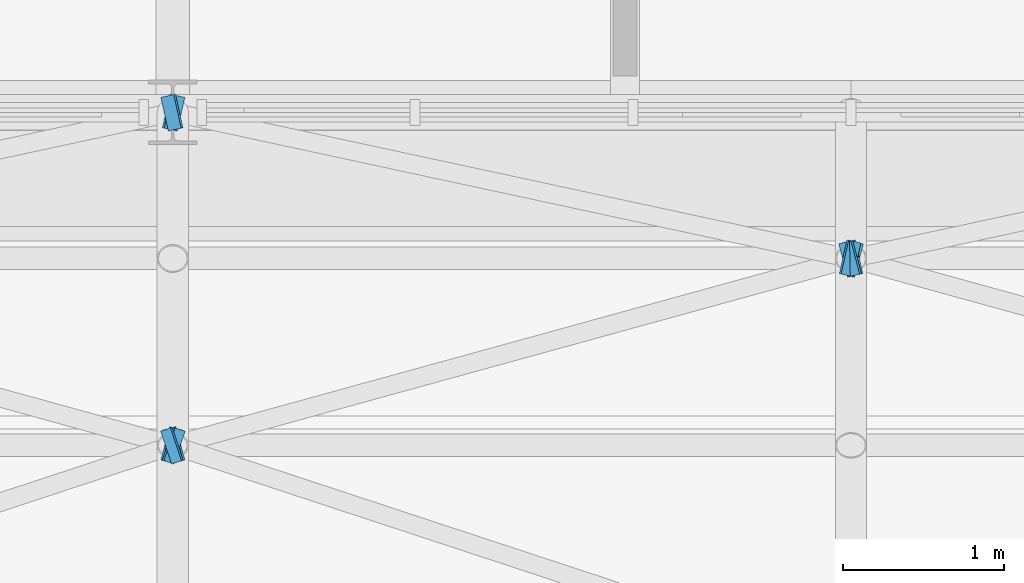
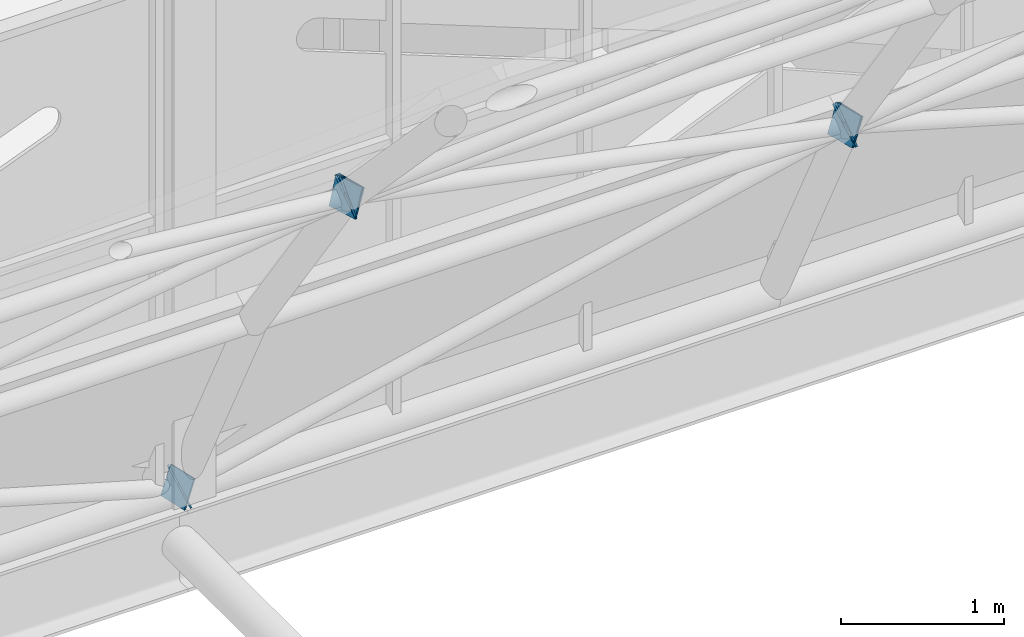
# One storey, part 111 of 121: 10 discrete accessories.
"""IFC4 building model written with IfcOpenShell, lengths in metres."""

import ifcopenshell
import ifcopenshell.guid

model = None  # the IFC model being written
_history = None  # IfcOwnerHistory: only IFC2X3 demands one
_inside = {}  # id of a spatial element -> (the spatial element, [elements in it])
_under = {}  # id of a project, library or spatial element -> (it, [spatial elements below it])
_declared = {}  # id of a project -> (the project, [libraries it declares])
_typed = {}  # id of a type object -> (the type object, [elements of that type])
_made_of = {}  # id of a material, layer set ... -> (it, [elements and type objects made of it])


def new_model(schema):
    """Start an empty IFC model of exactly this schema.

    Asked for "IFC4X3", IfcOpenShell would pick the latest addendum, in which some entities
    have other attributes; the version numbers below select the first issue.
    IFC2X3 requires an IfcOwnerHistory on every rooted entity: one is made here for all.
    """
    global model, _history
    if schema == "IFC4X3":
        model = ifcopenshell.file(schema_version=(4, 3, 0, 0))
    else:
        model = ifcopenshell.file(schema=schema)
    _inside.clear()
    _under.clear()
    _declared.clear()
    _typed.clear()
    _made_of.clear()
    _history = None
    if model.schema == "IFC2X3":
        org = make("IfcOrganization", Name="unknown")
        user = make(
            "IfcPersonAndOrganization",
            ThePerson=make("IfcPerson", FamilyName="unknown"),
            TheOrganization=org,
        )
        app = make(
            "IfcApplication",
            ApplicationDeveloper=org,
            Version="unknown",
            ApplicationFullName="unknown",
            ApplicationIdentifier="unknown",
        )
        _history = make(
            "IfcOwnerHistory",
            OwningUser=user,
            OwningApplication=app,
            ChangeAction="ADDED",
            CreationDate=0,
        )
    return model


def make(cls, **values):
    """One entity of the class cls with the attributes given. An attribute that is None is left unset."""
    return model.create_entity(
        cls, **{name: value for name, value in values.items() if value is not None}
    )


def rooted(cls, **values):
    """An entity with a GlobalId (a new one), such as an element, a storey or a relation."""
    return make(cls, GlobalId=ifcopenshell.guid.new(), OwnerHistory=_history, **values)


def si_unit(unit_type, name, prefix=None):
    """IfcSIUnit, for example si_unit("LENGTHUNIT", "METRE", prefix="MILLI")."""
    return make("IfcSIUnit", UnitType=unit_type, Prefix=prefix, Name=name)


def assignment(units):
    """IfcUnitAssignment: the units of a project."""
    return None if units is None else make("IfcUnitAssignment", Units=units)


def point(xyz):
    """IfcCartesianPoint."""
    return None if xyz is None else make("IfcCartesianPoint", Coordinates=xyz)


def direction(xyz):
    """IfcDirection."""
    return None if xyz is None else make("IfcDirection", DirectionRatios=xyz)


def frame(location, z_axis=None, x_axis=None):
    """IfcAxis2Placement3D, a coordinate frame: its origin and axes. An axis left out is left unset."""
    return make(
        "IfcAxis2Placement3D",
        Location=point(location),
        Axis=direction(z_axis),
        RefDirection=direction(x_axis),
    )


def frame_2d(location, x_axis=None):
    """IfcAxis2Placement2D, a coordinate frame in the plane: its origin and x axis."""
    return make(
        "IfcAxis2Placement2D", Location=point(location), RefDirection=direction(x_axis)
    )


def origin():
    """The frame at (0, 0, 0) with its axes left unset."""
    return frame((0.0, 0.0, 0.0))


def origin_2d():
    """The frame at (0, 0) in the plane with its x axis left unset."""
    return frame_2d((0.0, 0.0))


def place(relative_to, where):
    """IfcLocalPlacement: puts the frame where relative to a parent placement (None: the world)."""
    return make(
        "IfcLocalPlacement", PlacementRelTo=relative_to, RelativePlacement=where
    )


def context(
    kind, dimensions, precision=None, world=None, true_north=None, identifier=None
):
    """IfcGeometricRepresentationContext, for example the 3D "Model" context."""
    return make(
        "IfcGeometricRepresentationContext",
        ContextIdentifier=identifier,
        ContextType=kind,
        CoordinateSpaceDimension=dimensions,
        Precision=precision,
        WorldCoordinateSystem=world,
        TrueNorth=true_north,
    )


def subcontext(parent, identifier, kind, view, scale=None):
    """IfcGeometricRepresentationSubContext, for example "Body" below "Model"."""
    return make(
        "IfcGeometricRepresentationSubContext",
        ContextIdentifier=identifier,
        ContextType=kind,
        ParentContext=parent,
        TargetScale=scale,
        TargetView=view,
    )


def project(units=None, contexts=None):
    """IfcProject with its units and contexts."""
    return rooted(
        "IfcProject",
        Name="project",
        RepresentationContexts=contexts,
        UnitsInContext=assignment(units),
    )


def spatial(cls, under=None, at=None, **own):
    """A site, building, storey or space (cls), placed at a placement, below another one or the project."""
    s = rooted(cls, ObjectPlacement=at, **own)
    if under is not None:
        _under.setdefault(under.id(), (under, []))[1].append(s)
    return s


def profile(cls, at=None, kind="AREA", **sizes):
    """A parametric profile (cls). Its sizes go by their IFC names, for example OverallWidth=200.0."""
    return make(cls, ProfileType=kind, Position=at, **sizes)


def rectangle(**sizes):
    """IfcRectangleProfileDef."""
    return profile("IfcRectangleProfileDef", **sizes)


def extrude(swept, where, along, depth):
    """IfcExtrudedAreaSolid: the profile swept, set in the frame where, extruded along a direction by depth."""
    return make(
        "IfcExtrudedAreaSolid",
        SweptArea=swept,
        Position=where,
        ExtrudedDirection=direction(along),
        Depth=depth,
    )


def shape(context_of_items, identifier, shape_type, items):
    """IfcShapeRepresentation: the items that make up one representation, for example the "Body"."""
    return make(
        "IfcShapeRepresentation",
        ContextOfItems=context_of_items,
        RepresentationIdentifier=identifier,
        RepresentationType=shape_type,
        Items=items,
    )


def material(Name=None, Category=None):
    """IfcMaterial."""
    return make("IfcMaterial", Name=Name, Category=Category)


def material_profile(
    of_material, cross_section, Name=None, Category=None, Priority=None
):
    """IfcMaterialProfile: a cross section and its material."""
    return make(
        "IfcMaterialProfile",
        Name=Name,
        Material=of_material,
        Profile=cross_section,
        Priority=Priority,
        Category=Category,
    )


def profile_set(profiles, Name=None, composite=None):
    """IfcMaterialProfileSet."""
    return make(
        "IfcMaterialProfileSet",
        Name=Name,
        MaterialProfiles=profiles,
        CompositeProfile=composite,
    )


def made_of(thing, what):
    """Note that an element or type object is made of a material, layer set ...; save() writes the relation."""
    if what is not None:
        _made_of.setdefault(what.id(), (what, []))[1].append(thing)
    return thing


def type_object(cls, material=None, **own):
    """A type object (cls), such as IfcWallType, which elements share."""
    return made_of(rooted(cls, **own), material)


def element(
    cls,
    number,
    at=None,
    inside=None,
    cuts=None,
    type_object=None,
    material=None,
    context=None,
    identifier="Body",
    shape_type=None,
    held_by="IfcProductDefinitionShape",
    body=None,
    shapes=None,
    **own,
):
    """One element of the class cls, such as IfcWall. Its Tag is "e" and its number.

    at: its placement. inside: the storey or other place that contains it. cuts: it is an
    opening in that element (IfcRelVoidsElement). A single representation is given by context,
    identifier, shape_type and body (its items); several are given by shapes. held_by: the class
    of the entity that holds the representations. save() writes the other relations.
    """
    e = rooted(cls, Tag="e%d" % number, ObjectPlacement=at, **own)
    if body is not None:
        shapes = [shape(context, identifier, shape_type, body)]
    if shapes is not None:
        e.Representation = make(held_by, Representations=shapes)
    if inside is not None:
        _inside.setdefault(inside.id(), (inside, []))[1].append(e)
    if cuts is not None:
        rooted(
            "IfcRelVoidsElement", RelatingBuildingElement=cuts, RelatedOpeningElement=e
        )
    if type_object is not None:
        _typed.setdefault(type_object.id(), (type_object, []))[1].append(e)
    return made_of(e, material)


def aggregate(whole, parts):
    """IfcRelAggregates: a whole, such as a stair, and the parts it consists of."""
    return rooted("IfcRelAggregates", RelatingObject=whole, RelatedObjects=parts)


def save(model, path):
    """Write the relations noted so far, then the file.

    IfcRelAggregates (storeys below a building ...), IfcRelContainedInSpatialStructure (elements
    in a storey), IfcRelDefinesByType, IfcRelAssociatesMaterial and IfcRelDeclares: one each for
    every whole, place, type object, material and project.
    """
    for whole, parts in _under.values():
        aggregate(whole, parts)
    for where, things in _inside.values():
        rooted(
            "IfcRelContainedInSpatialStructure",
            RelatedElements=things,
            RelatingStructure=where,
        )
    for kind, things in _typed.values():
        rooted("IfcRelDefinesByType", RelatedObjects=things, RelatingType=kind)
    for what, things in _made_of.values():
        rooted("IfcRelAssociatesMaterial", RelatedObjects=things, RelatingMaterial=what)
    for by, libraries in _declared.values():
        rooted("IfcRelDeclares", RelatingContext=by, RelatedDefinitions=libraries)
    model.write(path)


model = new_model("IFC4")

# Units and contexts
model_context = context("Model", 3, precision=1e-05, world=origin(), true_north=direction((0.0, 1.0)))
body_context = subcontext(model_context, "Body", "Model", "MODEL_VIEW")
ifc_project = project(units=[si_unit("LENGTHUNIT", "METRE"), si_unit("AREAUNIT", "SQUARE_METRE"), si_unit("VOLUMEUNIT", "CUBIC_METRE"), si_unit("PLANEANGLEUNIT", "RADIAN"), si_unit("MASSUNIT", "GRAM", prefix="KILO")], contexts=[model_context])

# Site, building, storey
site_placement = place(None, origin())
site = spatial("IfcSite", under=ifc_project, at=site_placement, CompositionType="ELEMENT")
building_placement = place(site_placement, origin())
building = spatial("IfcBuilding", under=site, at=building_placement, Name="Ardhachandra Cancer Care Centre", CompositionType="ELEMENT")
storey_placement = place(building_placement, frame((0.0, 0.0, 9.0)))
storey = spatial("IfcBuildingStorey", under=building, at=storey_placement, Name="L02", CompositionType="ELEMENT", Elevation=9.0)

# Discrete accessories
ifc_material = material(Name="Steel E250 (IS 2062)", Category="steel")
ifc_material_profile = material_profile(ifc_material, rectangle(XDim=0.21435546875, YDim=0.21435546875, at=origin_2d()), Name="PL 214x214x12")
ifc_profile_set = profile_set([ifc_material_profile], Name="Steel E250 (IS 2062)")
discrete_accessory_type = type_object("IfcDiscreteAccessoryType", Name="Diagonal end plate 214 x 214 x 12", PredefinedType="BRACKET", material=ifc_profile_set)
for number, where, z_axis, x_axis, name in (
    (1, (69.60009765625, 77.738037109375, 3.426025390625), (-0.904534033733, -0.301511344578, 0.301511344578), (0.316227766017, -0.948683298051, 0.0), "Diagonal end plate Hall shell diagonal 05-13 2"),
    (2, (69.60009765625, 77.738037109375, 3.426025390625), (-0.907656609489, 0.24204176253, -0.342892496918), (-0.25766265056, -0.966234939601, 0.0), "Diagonal end plate Hall shell diagonal 06-14 1"),
    (3, (69.60009765625, 79.800048828125, 0.0), (-0.902530633635, -0.20056236303, 0.381068489757), (0.216930457819, -0.976187060184, 0.0), "Diagonal end plate Hall shell diagonal 05-15 2"),
):
    element("IfcDiscreteAccessory", number, at=place(storey_placement, frame(where, z_axis=z_axis, x_axis=x_axis)), inside=storey, type_object=discrete_accessory_type, Name=name, PredefinedType="BRACKET", context=body_context, shape_type="SweptSolid", body=[
        extrude(rectangle(XDim=0.21435546875, YDim=0.21435546875, at=origin_2d()), origin(), (0.0, 0.0, 1.0), 0.01220703125),
    ])
for number, where, z_axis, x_axis, name in (
    (4, (69.60009765625, 77.738037109375, 3.426025390625), (0.900777348936, -0.307083187137, 0.307083187137), (0.322673927788, 0.946510188179, 0.0), "Diagonal end plate Hall shell diagonal 07-13 2"),
    (5, (69.60009765625, 77.738037109375, 3.426025390625), (0.904003571195, 0.246546428508, -0.349274107053), (-0.263117405792, 0.964763821238, 0.0), "Diagonal end plate Hall shell diagonal 06-14 1"),
):
    element("IfcDiscreteAccessory", number, at=place(storey_placement, frame(where, z_axis=z_axis, x_axis=x_axis)), inside=storey, type_object=discrete_accessory_type, Name=name, PredefinedType="BRACKET", context=body_context, shape_type="SweptSolid", body=[
        extrude(rectangle(XDim=0.21435546875, YDim=0.21435546875, at=origin_2d()), origin(), (0.0, 0.0, 1.0), 0.011962890625),
    ])
discrete_accessory_placement = place(storey_placement, frame((73.800048828125, 78.89501953125, 1.788818359375), z_axis=(-0.901262652189, -0.24033670725, 0.360505060876), x_axis=(0.25766265056, -0.966234939601, 0.0)))
element("IfcDiscreteAccessory", 6, at=discrete_accessory_placement, inside=storey, type_object=discrete_accessory_type, Name="Diagonal end plate Hall shell diagonal 06-14 2", PredefinedType="BRACKET", context=body_context, shape_type="SweptSolid", body=[
    extrude(rectangle(XDim=0.21435546875, YDim=0.21435546875, at=origin_2d()), origin(), (0.0, 0.0, 1.0), 0.01220703125),
])
for number, where, z_axis, x_axis, name in (
    (7, (73.800048828125, 78.89501953125, 1.788818359375), (-0.909322885136, 0.202071752252, -0.363729154054), (-0.216930457819, -0.976187060184, 0.0), "Diagonal end plate Hall shell diagonal 07-15 1"),
    (8, (69.60009765625, 79.800048828125, 0.0), (0.898708107226, -0.204251842551, 0.388078500848), (0.221621103589, 0.975132855791, 0.0), "Diagonal end plate Hall shell diagonal 07-15 2"),
    (9, (73.800048828125, 78.89501953125, 1.788818359375), (0.897398718093, -0.244745104934, 0.367117657402), (0.263117405792, 0.964763821238, 0.0), "Diagonal end plate Hall shell diagonal 08-14 2"),
    (10, (73.800048828125, 78.89501953125, 1.788818359375), (0.905725666552, 0.205846742398, -0.370524136317), (-0.221621103589, 0.975132855791, 0.0), "Diagonal end plate Hall shell diagonal 07-15 1"),
):
    element("IfcDiscreteAccessory", number, at=place(storey_placement, frame(where, z_axis=z_axis, x_axis=x_axis)), inside=storey, type_object=discrete_accessory_type, Name=name, PredefinedType="BRACKET", context=body_context, shape_type="SweptSolid", body=[
        extrude(rectangle(XDim=0.21435546875, YDim=0.21435546875, at=origin_2d()), origin(), (0.0, 0.0, 1.0), 0.011962890625),
    ])

save(model, "model.ifc")
